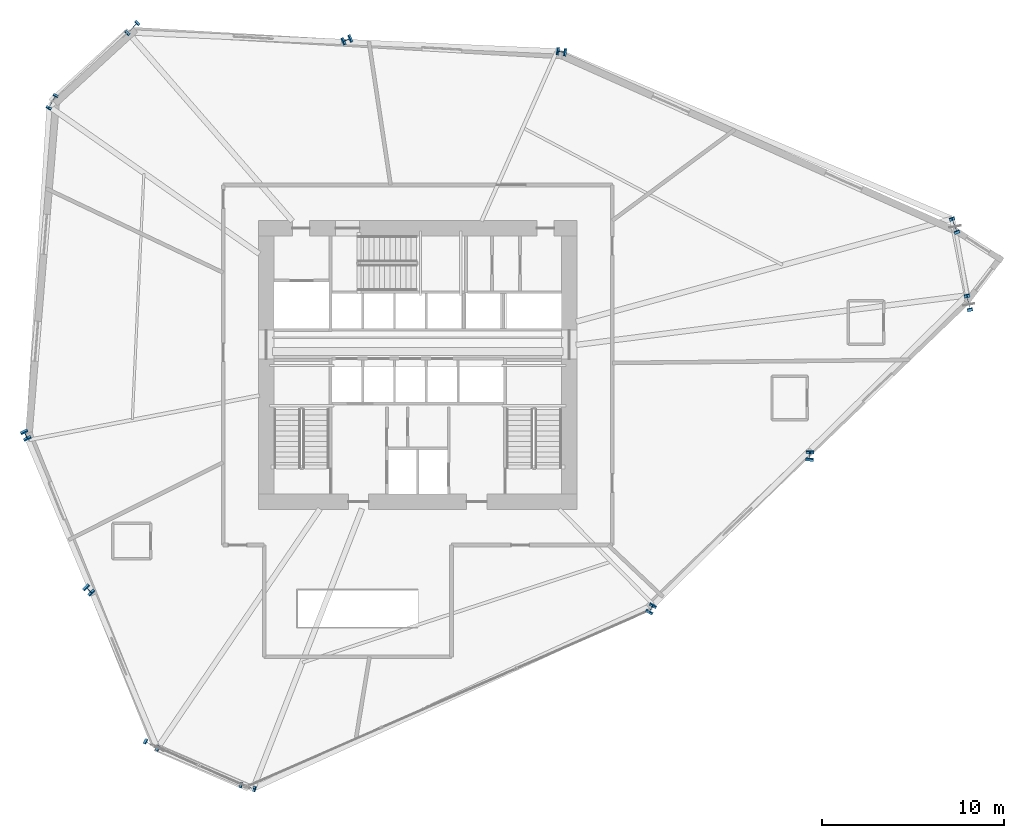
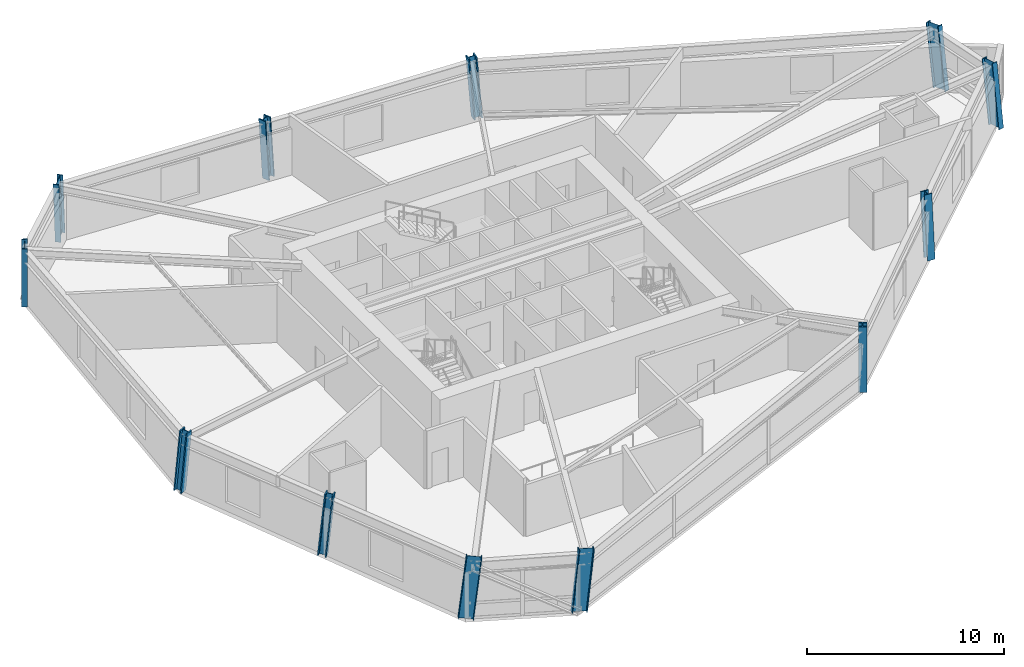
# One storey, part 1 of 17: 12 columns.
"""IFC4 building model written with IfcOpenShell, lengths in metres."""

from ifc_helpers import new_model, si_unit, direction, frame, origin, origin_2d, place, context, subcontext, project, spatial, i_section, extrude, source, transform, mapped, material, material_profile, profile_set, type_object, element, save


model = new_model("IFC4")

# Units and contexts
model_context = context("Model", 3, precision=1e-05, world=origin(), true_north=direction((0.0, 1.0)))
body_context = subcontext(model_context, "Body", "Model", "MODEL_VIEW")
ifc_project = project(units=[si_unit("LENGTHUNIT", "METRE"), si_unit("AREAUNIT", "SQUARE_METRE"), si_unit("VOLUMEUNIT", "CUBIC_METRE"), si_unit("PLANEANGLEUNIT", "RADIAN"), si_unit("MASSUNIT", "GRAM", prefix="KILO")], contexts=[model_context])

# Site, building, storey
site_placement = place(None, origin())
site = spatial("IfcSite", under=ifc_project, at=site_placement, CompositionType="ELEMENT")
building_placement = place(site_placement, origin())
building = spatial("IfcBuilding", under=site, at=building_placement, Name="Olszyna Solenne Hotel", CompositionType="ELEMENT")
storey_placement = place(building_placement, frame((0.0, 0.0, 75.89990234375)))
storey = spatial("IfcBuildingStorey", under=building, at=storey_placement, Name="L19", CompositionType="ELEMENT", Elevation=75.89990234375)

# Columns
ifc_material = material(Name="Steel S460M", Category="steel")
ifc_material_profile_1 = material_profile(ifc_material, i_section(OverallWidth=0.30810546875, OverallDepth=0.81396484375, WebThickness=0.02099609375, FlangeThickness=0.0400390625, at=origin_2d()), Name="HEM 800", Category="load-bearing")
ifc_profile_set_1 = profile_set([ifc_material_profile_1], Name="Steel S460M")
column_type_1 = type_object("IfcColumnType", Name="COL-K1", PredefinedType="COLUMN", material=ifc_profile_set_1)
shared_shape_1 = source(origin(), body_context, "Body", "SweptSolid", [
    extrude(i_section(OverallWidth=0.30810546875, OverallDepth=0.81396484375, WebThickness=0.02099609375, FlangeThickness=0.0400390625, at=origin_2d()), origin(), (0.0, 0.0, 1.0), 3.8671875),
])
column_1_placement = place(storey_placement, frame((68.29541015625, 29.94287109375, 0.0), z_axis=(-0.026704643692, 0.1255055122, 0.991733446251), x_axis=(-0.978103798124, -0.208117659259, 0.0)))
element("IfcColumn", 1, at=column_1_placement, inside=storey, type_object=column_type_1, Name="Perimeter framed-tube column COL-K1 C-L19-01", PredefinedType="COLUMN", context=body_context, shape_type="MappedRepresentation", body=[
    mapped(shared_shape_1, transform((0.0, 0.0, 0.0), x_axis=(1.0, 0.0, 0.0), y_axis=(0.0, 1.0, 0.0), z_axis=(0.0, 0.0, 1.0), scale=1.0)),
])
shared_shape_2 = source(origin(), body_context, "Body", "SweptSolid", [
    extrude(i_section(OverallWidth=0.30810546875, OverallDepth=0.81396484375, WebThickness=0.02099609375, FlangeThickness=0.0400390625, at=origin_2d()), origin(), (0.0, 0.0, 1.0), 3.86328125),
])
column_2_placement = place(storey_placement, frame((67.54052734375, 34.201416015625, 0.0), z_axis=(-0.042151057581, 0.112739860157, 0.992730080272), x_axis=(-0.936673957719, -0.350202651233, 0.0)))
element("IfcColumn", 2, at=column_2_placement, inside=storey, type_object=column_type_1, Name="Perimeter framed-tube column COL-K1 C-L19-02", PredefinedType="COLUMN", context=body_context, shape_type="MappedRepresentation", body=[
    mapped(shared_shape_2, transform((0.0, 0.0, 0.0), x_axis=(1.0, 0.0, 0.0), y_axis=(0.0, 1.0, 0.0), z_axis=(0.0, 0.0, 1.0), scale=1.0)),
])
ifc_material_profile_2 = material_profile(ifc_material, i_section(OverallWidth=0.424072265625, OverallDepth=0.47412109375, WebThickness=0.04296875, FlangeThickness=0.068115234375, at=origin_2d()), Name="HD 400x634", Category="load-bearing")
ifc_profile_set_2 = profile_set([ifc_material_profile_2], Name="Steel S460M")
column_type_2 = type_object("IfcColumnType", Name="COL-T1", PredefinedType="COLUMN", material=ifc_profile_set_2)
shared_shape_3 = source(origin(), body_context, "Body", "SweptSolid", [
    extrude(i_section(OverallWidth=0.424072265625, OverallDepth=0.47412109375, WebThickness=0.04296875, FlangeThickness=0.068115234375, at=origin_2d()), origin(), (0.0, 0.0, 1.0), 3.84716796875),
])
column_3_placement = place(storey_placement, frame((45.943115234375, 43.81298828125, 0.0), z_axis=(-0.07774043655, 0.010534622422, 0.996917973685), x_axis=(-0.134282893313, -0.990943038001, 0.0)))
element("IfcColumn", 3, at=column_3_placement, inside=storey, type_object=column_type_2, Name="Perimeter framed-tube column COL-T1 C-L19-03", PredefinedType="COLUMN", context=body_context, shape_type="MappedRepresentation", body=[
    mapped(shared_shape_3, transform((0.0, 0.0, 0.0), x_axis=(1.0, 0.0, 0.0), y_axis=(0.0, 1.0, 0.0), z_axis=(0.0, 0.0, 1.0), scale=1.0)),
])
shared_shape_4 = source(origin(), body_context, "Body", "SweptSolid", [
    extrude(i_section(OverallWidth=0.30810546875, OverallDepth=0.81396484375, WebThickness=0.02099609375, FlangeThickness=0.0400390625, at=origin_2d()), origin(), (0.0, 0.0, 1.0), 3.85888671875),
])
column_4_placement = place(storey_placement, frame((23.30712890625, 5.7431640625, 0.0), z_axis=(0.096105328977, -0.054284642701, 0.993889804409), x_axis=(0.491811694225, 0.870701589193, 0.0)))
element("IfcColumn", 4, at=column_4_placement, inside=storey, type_object=column_type_1, Name="Perimeter framed-tube column COL-K1 C-L19-09", PredefinedType="COLUMN", context=body_context, shape_type="MappedRepresentation", body=[
    mapped(shared_shape_4, transform((0.0, 0.0, 0.0), x_axis=(1.0, 0.0, 0.0), y_axis=(0.0, 1.0, 0.0), z_axis=(0.0, 0.0, 1.0), scale=1.0)),
])
shared_shape_5 = source(origin(), body_context, "Body", "SweptSolid", [
    extrude(i_section(OverallWidth=0.30810546875, OverallDepth=0.81396484375, WebThickness=0.02099609375, FlangeThickness=0.0400390625, at=origin_2d()), origin(), (0.0, 0.0, 1.0), 3.853515625),
])
column_5_placement = place(storey_placement, frame((28.59033203125, 3.4130859375, 0.0), z_axis=(0.093322917566, -0.027559721073, 0.995254386994), x_axis=(0.283223653581, 0.959053889024, 0.0)))
element("IfcColumn", 5, at=column_5_placement, inside=storey, type_object=column_type_1, Name="Perimeter framed-tube column COL-K1 C-L19-10", PredefinedType="COLUMN", context=body_context, shape_type="MappedRepresentation", body=[
    mapped(shared_shape_5, transform((0.0, 0.0, 0.0), x_axis=(1.0, 0.0, 0.0), y_axis=(0.0, 1.0, 0.0), z_axis=(0.0, 0.0, 1.0), scale=1.0)),
])
shared_shape_6 = source(origin(), body_context, "Body", "SweptSolid", [
    extrude(i_section(OverallWidth=0.424072265625, OverallDepth=0.47412109375, WebThickness=0.04296875, FlangeThickness=0.068115234375, at=origin_2d()), origin(), (0.0, 0.0, 1.0), 3.853759765625),
])
column_6_placement = place(storey_placement, frame((59.548095703125, 21.545654296875, 0.0), z_axis=(0.006715214046, 0.097814061193, 0.995182051352), x_axis=(-0.997651690921, 0.068491631631, 0.0)))
element("IfcColumn", 6, at=column_6_placement, inside=storey, type_object=column_type_2, Name="Perimeter framed-tube column COL-T1 C-L19-12", PredefinedType="COLUMN", context=body_context, shape_type="MappedRepresentation", body=[
    mapped(shared_shape_6, transform((0.0, 0.0, 0.0), x_axis=(1.0, 0.0, 0.0), y_axis=(0.0, 1.0, 0.0), z_axis=(0.0, 0.0, 1.0), scale=1.0)),
])
shared_shape_7 = source(origin(), body_context, "Body", "SweptSolid", [
    extrude(i_section(OverallWidth=0.424072265625, OverallDepth=0.47412109375, WebThickness=0.04296875, FlangeThickness=0.068115234375, at=origin_2d()), origin(), (0.0, 0.0, 1.0), 3.84814453125),
])
column_7_placement = place(storey_placement, frame((34.14306640625, 44.49365234375, 0.0), z_axis=(-0.075687253982, -0.0318482829, 0.996622860696), x_axis=(0.387849749228, -0.921722611214, 0.0)))
element("IfcColumn", 7, at=column_7_placement, inside=storey, type_object=column_type_2, Name="Perimeter framed-tube column COL-T1 C-L19-04", PredefinedType="COLUMN", context=body_context, shape_type="MappedRepresentation", body=[
    mapped(shared_shape_7, transform((0.0, 0.0, 0.0), x_axis=(1.0, 0.0, 0.0), y_axis=(0.0, 1.0, 0.0), z_axis=(0.0, 0.0, 1.0), scale=1.0)),
])
shared_shape_8 = source(origin(), body_context, "Body", "SweptSolid", [
    extrude(i_section(OverallWidth=0.30810546875, OverallDepth=0.81396484375, WebThickness=0.02099609375, FlangeThickness=0.0400390625, at=origin_2d()), origin(), (0.0, 0.0, 1.0), 3.856201171875),
])
column_8_placement = place(storey_placement, frame((22.343017578125, 45.174560546875, 0.0), z_axis=(-0.073565449241, -0.074198542608, 0.994526370165), x_axis=(0.710129855377, -0.704070726918, 0.0)))
element("IfcColumn", 8, at=column_8_placement, inside=storey, type_object=column_type_1, Name="Perimeter framed-tube column COL-K1 C-L19-05", PredefinedType="COLUMN", context=body_context, shape_type="MappedRepresentation", body=[
    mapped(shared_shape_8, transform((0.0, 0.0, 0.0), x_axis=(1.0, 0.0, 0.0), y_axis=(0.0, 1.0, 0.0), z_axis=(0.0, 0.0, 1.0), scale=1.0)),
])
shared_shape_9 = source(origin(), body_context, "Body", "SweptSolid", [
    extrude(i_section(OverallWidth=0.30810546875, OverallDepth=0.81396484375, WebThickness=0.02099609375, FlangeThickness=0.0400390625, at=origin_2d()), origin(), (0.0, 0.0, 1.0), 3.8525390625),
])
column_9_placement = place(storey_placement, frame((17.923583984375, 41.124755859375, 0.0), z_axis=(-0.046893400017, -0.082697144624, 0.995470839003), x_axis=(0.869879191834, -0.493264829086, 0.0)))
element("IfcColumn", 9, at=column_9_placement, inside=storey, type_object=column_type_1, Name="Perimeter framed-tube column COL-K1 C-L19-06", PredefinedType="COLUMN", context=body_context, shape_type="MappedRepresentation", body=[
    mapped(shared_shape_9, transform((0.0, 0.0, 0.0), x_axis=(1.0, 0.0, 0.0), y_axis=(0.0, 1.0, 0.0), z_axis=(0.0, 0.0, 1.0), scale=1.0)),
])
shared_shape_10 = source(origin(), body_context, "Body", "SweptSolid", [
    extrude(i_section(OverallWidth=0.424072265625, OverallDepth=0.47412109375, WebThickness=0.04296875, FlangeThickness=0.068115234375, at=origin_2d()), origin(), (0.0, 0.0, 1.0), 3.851806640625),
])
column_10_placement = place(storey_placement, frame((16.419189453125, 22.79541015625, 0.0), z_axis=(0.040248732503, -0.08347650505, 0.995696596678), x_axis=(0.900763903388, 0.434309095407, 0.0)))
element("IfcColumn", 10, at=column_10_placement, inside=storey, type_object=column_type_2, Name="Perimeter framed-tube column COL-T1 C-L19-07", PredefinedType="COLUMN", context=body_context, shape_type="MappedRepresentation", body=[
    mapped(shared_shape_10, transform((0.0, 0.0, 0.0), x_axis=(1.0, 0.0, 0.0), y_axis=(0.0, 1.0, 0.0), z_axis=(0.0, 0.0, 1.0), scale=1.0)),
])
shared_shape_11 = source(origin(), body_context, "Body", "SweptSolid", [
    extrude(i_section(OverallWidth=0.424072265625, OverallDepth=0.47412109375, WebThickness=0.04296875, FlangeThickness=0.068115234375, at=origin_2d()), origin(), (0.0, 0.0, 1.0), 3.853271484375),
])
column_11_placement = place(storey_placement, frame((19.86328125, 14.269287109375, 0.0), z_axis=(0.068236458654, -0.068870037657, 0.995289256258), x_axis=(0.710366787942, 0.703831674897, 0.0)))
element("IfcColumn", 11, at=column_11_placement, inside=storey, type_object=column_type_2, Name="Perimeter framed-tube column COL-T1 C-L19-08", PredefinedType="COLUMN", context=body_context, shape_type="MappedRepresentation", body=[
    mapped(shared_shape_11, transform((0.0, 0.0, 0.0), x_axis=(1.0, 0.0, 0.0), y_axis=(0.0, 1.0, 0.0), z_axis=(0.0, 0.0, 1.0), scale=1.0)),
])
shared_shape_12 = source(origin(), body_context, "Body", "SweptSolid", [
    extrude(i_section(OverallWidth=0.424072265625, OverallDepth=0.47412109375, WebThickness=0.04296875, FlangeThickness=0.068115234375, at=origin_2d()), origin(), (0.0, 0.0, 1.0), 3.84765625),
])
column_12_placement = place(storey_placement, frame((50.801025390625, 13.148681640625, 0.0), z_axis=(0.040228034609, 0.069732823399, 0.996754251846), x_axis=(-0.866198707335, 0.499699709236, 0.0)))
element("IfcColumn", 12, at=column_12_placement, inside=storey, type_object=column_type_2, Name="Perimeter framed-tube column COL-T1 C-L19-11", PredefinedType="COLUMN", context=body_context, shape_type="MappedRepresentation", body=[
    mapped(shared_shape_12, transform((0.0, 0.0, 0.0), x_axis=(1.0, 0.0, 0.0), y_axis=(0.0, 1.0, 0.0), z_axis=(0.0, 0.0, 1.0), scale=1.0)),
])

save(model, "model.ifc")
